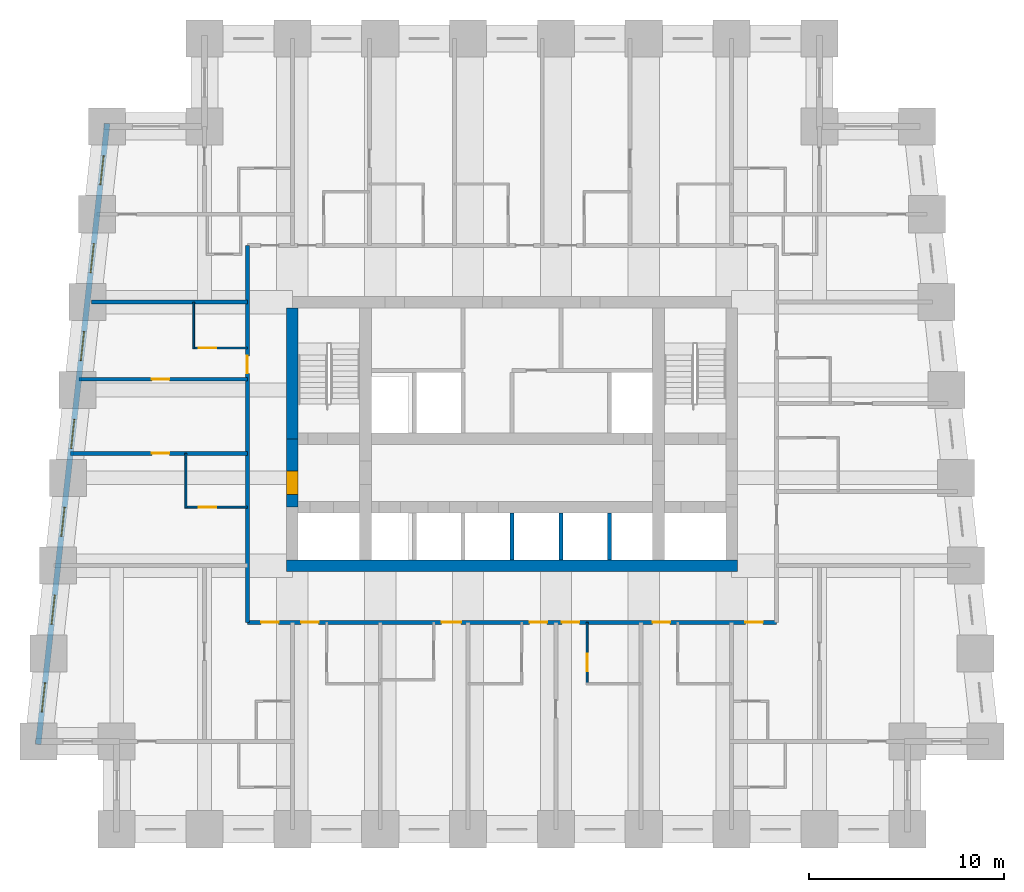
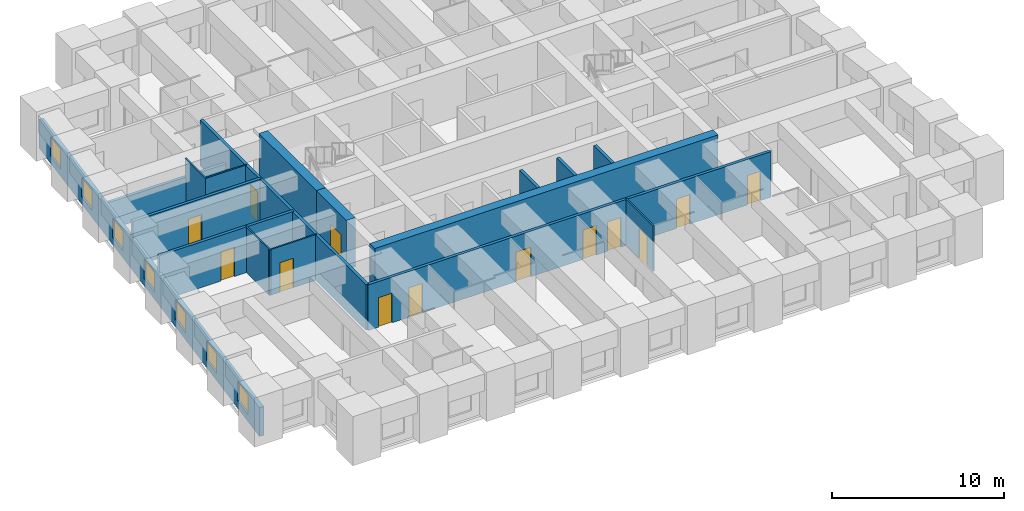
# One storey, part 3 of 8: 17 walls, 14 doors, 7 windows, 21 openings.
"""IFC4 building model written with IfcOpenShell, lengths in metres."""

from ifc_helpers import new_model, si_unit, direction, frame, frame_2d, origin, place, context, subcontext, project, spatial, rectangle, extrude, material, layer, layer_set, type_object, element, fill, save


model = new_model("IFC4")

# Units and contexts
model_context = context("Model", 3, precision=1e-05, world=origin(), true_north=direction((0.0, 1.0)))
body_context = subcontext(model_context, "Body", "Model", "MODEL_VIEW")
ifc_project = project(units=[si_unit("LENGTHUNIT", "METRE"), si_unit("AREAUNIT", "SQUARE_METRE"), si_unit("VOLUMEUNIT", "CUBIC_METRE"), si_unit("PLANEANGLEUNIT", "RADIAN"), si_unit("MASSUNIT", "GRAM", prefix="KILO")], contexts=[model_context])

# Site, building, storey
site_placement = place(None, origin())
site = spatial("IfcSite", under=ifc_project, at=site_placement, CompositionType="ELEMENT")
building_placement = place(site_placement, origin())
building = spatial("IfcBuilding", under=site, at=building_placement, Name="Kilele Tower Hotel", CompositionType="ELEMENT")
storey_placement = place(building_placement, frame((0.0, 0.0, 64.699951171875)))
storey = spatial("IfcBuildingStorey", under=building, at=storey_placement, Name="L15", CompositionType="ELEMENT", Elevation=64.699951171875)

# Wall, opening, door
ifc_material_1 = material(Name="Moisture-resistant board")
ifc_layer_1 = layer(ifc_material_1, 0.10009765625)
ifc_layer_set_1 = layer_set([ifc_layer_1], Name="Moisture-resistant board")
wall_type_1 = type_object("IfcWallType", Name="Bathroom partition 100", PredefinedType="PLUMBINGWALL", material=ifc_layer_set_1)
wall_1_placement = place(storey_placement, frame((28.60009765625, 10.60009765625, 0.0), z_axis=(0.0, 0.0, 1.0), x_axis=(0.0, -1.0, 0.0)))
wall_1 = element("IfcWall", 1, at=wall_1_placement, inside=storey, type_object=wall_type_1, Name="Bathroom partition 100 L15", PredefinedType="PLUMBINGWALL", context=body_context, shape_type="SweptSolid", body=[
    extrude(rectangle(XDim=3.2001953125, YDim=0.10009765625, at=frame_2d((1.60009765625, 0.0))), origin(), (0.0, 0.0, 1.0), 3.25),
])
opening_1_placement = place(wall_1_placement, frame((2.5, 0.0, 0.0), z_axis=(0.0, 0.0, 1.0), x_axis=(-1.0, 0.0, 0.0)))
opening_1 = element("IfcOpeningElement", 2, at=opening_1_placement, cuts=wall_1, Name="Opening D2A", PredefinedType="OPENING", context=body_context, shape_type="SweptSolid", body=[
    extrude(rectangle(XDim=0.89990234375, YDim=2.10009765625, at=frame_2d((0.449951171875, 1.050048828125))), frame((0.0, 0.06005859375, 0.0), z_axis=(0.0, -1.0, 0.0), x_axis=(1.0, 0.0, 0.0)), (0.0, 0.0, 1.0), 0.1201171875),
])
ifc_material_2 = material(Name="Timber door leaf in hardwood frame", Category="wood")
door_type_1 = type_object("IfcDoorType", Name="Bathroom door 900", OperationType="SINGLE_SWING_LEFT", PredefinedType="DOOR", material=ifc_material_2)
door_1_placement = place(opening_1_placement, origin())
door_1 = element("IfcDoor", 3, at=door_1_placement, inside=storey, type_object=door_type_1, Name="Bathroom door 1504B", OperationType="SINGLE_SWING_LEFT", OverallHeight=2.10009765625, OverallWidth=0.89990234375, PredefinedType="DOOR", context=body_context, shape_type="SweptSolid", body=[
    extrude(rectangle(XDim=0.89990234375, YDim=2.10009765625, at=frame_2d((0.449951171875, 1.050048828125))), frame((0.0, 0.02490234375, 0.0), z_axis=(0.0, -1.0, 0.0), x_axis=(1.0, 0.0, 0.0)), (0.0, 0.0, 1.0), 0.050048828125),
])
fill(opening_1, door_1)

# Wall
wall_2_placement = place(storey_placement, frame((8.050048828125, 16.449951171875, 0.0), z_axis=(0.0, 0.0, 1.0), x_axis=(0.0, 1.0, 0.0)))
element("IfcWall", 4, at=wall_2_placement, inside=storey, type_object=wall_type_1, Name="Bathroom partition 100 L15", PredefinedType="PLUMBINGWALL", context=body_context, shape_type="SweptSolid", body=[
    extrude(rectangle(XDim=2.800048828125, YDim=0.10009765625, at=frame_2d((1.39990234375, 0.0))), origin(), (0.0, 0.0, 1.0), 3.25),
])

# Wall, opening, door
wall_3_placement = place(storey_placement, frame((11.199951171875, 16.5, 0.0), z_axis=(0.0, 0.0, 1.0), x_axis=(-1.0, 0.0, 0.0)))
wall_3 = element("IfcWall", 5, at=wall_3_placement, inside=storey, type_object=wall_type_1, Name="Bathroom partition 100 L15", PredefinedType="PLUMBINGWALL", context=body_context, shape_type="SweptSolid", body=[
    extrude(rectangle(XDim=3.199951171875, YDim=0.10009765625, at=frame_2d((1.60009765625, 0.0))), origin(), (0.0, 0.0, 1.0), 3.25),
])
opening_2_placement = place(wall_3_placement, frame((1.60009765625, 0.0, 0.0)))
opening_2 = element("IfcOpeningElement", 6, at=opening_2_placement, cuts=wall_3, Name="Opening D2A", PredefinedType="OPENING", context=body_context, shape_type="SweptSolid", body=[
    extrude(rectangle(XDim=0.89990234375, YDim=2.10009765625, at=frame_2d((0.449951171875, 1.050048828125))), frame((0.0, 0.06005859375, 0.0), z_axis=(0.0, -1.0, 0.0), x_axis=(1.0, 0.0, 0.0)), (0.0, 0.0, 1.0), 0.1201171875),
])
door_2_placement = place(opening_2_placement, origin())
door_2 = element("IfcDoor", 7, at=door_2_placement, inside=storey, type_object=door_type_1, Name="Bathroom door 1514B", OperationType="SINGLE_SWING_RIGHT", OverallHeight=2.10009765625, OverallWidth=0.89990234375, PredefinedType="DOOR", context=body_context, shape_type="SweptSolid", body=[
    extrude(rectangle(XDim=0.89990234375, YDim=2.10009765625, at=frame_2d((0.449951171875, 1.050048828125))), frame((0.0, 0.02490234375, 0.0), z_axis=(0.0, -1.0, 0.0), x_axis=(1.0, 0.0, 0.0)), (0.0, 0.0, 1.0), 0.050048828125),
])
fill(opening_2, door_2)

# Wall
wall_4_placement = place(storey_placement, frame((8.449951171875, 24.60009765625, 0.0), z_axis=(0.0, 0.0, 1.0), x_axis=(0.0, 1.0, 0.0)))
element("IfcWall", 8, at=wall_4_placement, inside=storey, type_object=wall_type_1, Name="Bathroom partition 100 L15", PredefinedType="PLUMBINGWALL", context=body_context, shape_type="SweptSolid", body=[
    extrude(rectangle(XDim=2.39990234375, YDim=0.10009765625, at=frame_2d((1.199951171875, 0.0))), origin(), (0.0, 0.0, 1.0), 3.25),
])

# Wall, opening, door
wall_5_placement = place(storey_placement, frame((11.199951171875, 24.64990234375, 0.0), z_axis=(0.0, 0.0, 1.0), x_axis=(-1.0, 0.0, 0.0)))
wall_5 = element("IfcWall", 9, at=wall_5_placement, inside=storey, type_object=wall_type_1, Name="Bathroom partition 100 L15", PredefinedType="PLUMBINGWALL", context=body_context, shape_type="SweptSolid", body=[
    extrude(rectangle(XDim=2.800048828125, YDim=0.10009765625, at=frame_2d((1.39990234375, 0.0))), origin(), (0.0, 0.0, 1.0), 3.25),
])
opening_3_placement = place(wall_5_placement, frame((1.60009765625, 0.0, 0.0)))
opening_3 = element("IfcOpeningElement", 10, at=opening_3_placement, cuts=wall_5, Name="Opening D2A", PredefinedType="OPENING", context=body_context, shape_type="SweptSolid", body=[
    extrude(rectangle(XDim=0.89990234375, YDim=2.10009765625, at=frame_2d((0.449951171875, 1.050048828125))), frame((0.0, 0.06005859375, 0.0), z_axis=(0.0, -1.0, 0.0), x_axis=(1.0, 0.0, 0.0)), (0.0, 0.0, 1.0), 0.1201171875),
])
door_3_placement = place(opening_3_placement, origin())
door_3 = element("IfcDoor", 11, at=door_3_placement, inside=storey, type_object=door_type_1, Name="Bathroom door 1516B", OperationType="SINGLE_SWING_RIGHT", OverallHeight=2.10009765625, OverallWidth=0.89990234375, PredefinedType="DOOR", context=body_context, shape_type="SweptSolid", body=[
    extrude(rectangle(XDim=0.89990234375, YDim=2.10009765625, at=frame_2d((0.449951171875, 1.050048828125))), frame((0.0, 0.02490234375, 0.0), z_axis=(0.0, -1.0, 0.0), x_axis=(1.0, 0.0, 0.0)), (0.0, 0.0, 1.0), 0.050048828125),
])
fill(opening_3, door_3)

# Walls
ifc_material_3 = material(Name="Concrete C60/75", Category="concrete")
ifc_layer_2 = layer(ifc_material_3, 0.60009765625)
ifc_layer_set_2 = layer_set([ifc_layer_2], Name="Concrete C60/75")
wall_type_2 = type_object("IfcWallType", Name="Core wall 600 C60/75", PredefinedType="SHEAR", material=ifc_layer_set_2)
wall_6_placement = place(storey_placement, frame((13.199951171875, 13.5, 0.0), z_axis=(0.0, 0.0, 1.0), x_axis=(1.0, 0.0, 0.0)))
element("IfcWall", 12, at=wall_6_placement, inside=storey, type_object=wall_type_2, Name="Core wall S L15", PredefinedType="SHEAR", context=body_context, shape_type="SweptSolid", body=[
    extrude(rectangle(XDim=23.10009765625, YDim=0.60009765625, at=frame_2d((11.550048828125, 0.0))), origin(), (0.0, 0.0, 1.0), 3.5),
])
wall_7_placement = place(storey_placement, frame((13.5, 26.699951171875, 0.0), z_axis=(0.0, 0.0, 1.0), x_axis=(0.0, -1.0, 0.0)))
element("IfcWall", 13, at=wall_7_placement, inside=storey, type_object=wall_type_2, Name="Core wall W1 L15", PredefinedType="SHEAR", context=body_context, shape_type="SweptSolid", body=[
    extrude(rectangle(XDim=6.699951171875, YDim=0.60009765625, at=frame_2d((3.35009765625, 0.0))), origin(), (0.0, 0.0, 1.0), 3.5),
])

# Wall, opening, door
wall_8_placement = place(storey_placement, frame((13.5, 20.0, 0.0), z_axis=(0.0, 0.0, 1.0), x_axis=(0.0, -1.0, 0.0)))
wall_8 = element("IfcWall", 14, at=wall_8_placement, inside=storey, type_object=wall_type_2, Name="Core wall W2 L15", PredefinedType="SHEAR", context=body_context, shape_type="SweptSolid", body=[
    extrude(rectangle(XDim=3.5, YDim=0.60009765625, at=frame_2d((1.75, 0.0))), origin(), (0.0, 0.0, 1.0), 3.5),
])
opening_4_placement = place(wall_8_placement, frame((1.64990234375, 0.0, 0.0)))
opening_4 = element("IfcOpeningElement", 15, at=opening_4_placement, cuts=wall_8, Name="Opening D4", PredefinedType="OPENING", context=body_context, shape_type="SweptSolid", body=[
    extrude(rectangle(XDim=1.199951171875, YDim=2.10009765625, at=frame_2d((0.60009765625, 1.050048828125))), frame((0.0, 0.31005859375, 0.0), z_axis=(0.0, -1.0, 0.0), x_axis=(1.0, 0.0, 0.0)), (0.0, 0.0, 1.0), 0.6201171875),
])
ifc_material_4 = material(Name="Timber door leaf in hardwood frame", Category="wood")
door_type_2 = type_object("IfcDoorType", Name="Firefighting lobby door 1200", OperationType="SINGLE_SWING_LEFT", PredefinedType="DOOR", material=ifc_material_4)
door_4_placement = place(opening_4_placement, origin())
door_4 = element("IfcDoor", 16, at=door_4_placement, inside=storey, type_object=door_type_2, Name="Lobby door L15", OperationType="SINGLE_SWING_RIGHT", OverallHeight=2.10009765625, OverallWidth=1.199951171875, PredefinedType="DOOR", context=body_context, shape_type="SweptSolid", body=[
    extrude(rectangle(XDim=1.199951171875, YDim=2.10009765625, at=frame_2d((0.60009765625, 1.050048828125))), frame((0.0, 0.2998046875, 0.0), z_axis=(0.0, -1.0, 0.0), x_axis=(1.0, 0.0, 0.0)), (0.0, 0.0, 1.0), 0.599609375),
])
fill(opening_4, door_4)

# Wall, openings, doors
ifc_material_5 = material(Name="Blockwork, plastered both sides", Category="masonry")
ifc_layer_3 = layer(ifc_material_5, 0.199951171875)
ifc_layer_set_3 = layer_set([ifc_layer_3], Name="Blockwork, plastered both sides")
wall_type_3 = type_object("IfcWallType", Name="Corridor wall 200", PredefinedType="PARTITIONING", material=ifc_layer_set_3)
wall_9_placement = place(storey_placement, frame((11.199951171875, 10.60009765625, 0.0), z_axis=(0.0, 0.0, 1.0), x_axis=(1.0, 0.0, 0.0)))
wall_9 = element("IfcWall", 17, at=wall_9_placement, inside=storey, type_object=wall_type_3, Name="Corridor wall 200 L15", PredefinedType="PARTITIONING", context=body_context, shape_type="SweptSolid", body=[
    extrude(rectangle(XDim=27.10009765625, YDim=0.199951171875, at=frame_2d((13.550048828125, 0.0))), origin(), (0.0, 0.0, 1.0), 3.25),
])
opening_5_placement = place(wall_9_placement, frame((3.64990234375, 0.0, 0.0), z_axis=(0.0, 0.0, 1.0), x_axis=(-1.0, 0.0, 0.0)))
opening_5 = element("IfcOpeningElement", 18, at=opening_5_placement, cuts=wall_9, Name="Opening D1", PredefinedType="OPENING", context=body_context, shape_type="SweptSolid", body=[
    extrude(rectangle(XDim=0.89990234375, YDim=2.10009765625, at=frame_2d((0.449951171875, 1.050048828125))), frame((0.0, 0.10986328125, 0.0), z_axis=(0.0, -1.0, 0.0), x_axis=(1.0, 0.0, 0.0)), (0.0, 0.0, 1.0), 0.219970703125),
])
opening_6_placement = place(wall_9_placement, frame((10.949951171875, 0.0, 0.0), z_axis=(0.0, 0.0, 1.0), x_axis=(-1.0, 0.0, 0.0)))
opening_6 = element("IfcOpeningElement", 19, at=opening_6_placement, cuts=wall_9, Name="Opening D1A", PredefinedType="OPENING", context=body_context, shape_type="SweptSolid", body=[
    extrude(rectangle(XDim=1.0, YDim=2.10009765625, at=frame_2d((0.5, 1.050048828125))), frame((0.0, 0.10986328125, 0.0), z_axis=(0.0, -1.0, 0.0), x_axis=(1.0, 0.0, 0.0)), (0.0, 0.0, 1.0), 0.219970703125),
])
opening_7_placement = place(wall_9_placement, frame((15.349853515625, 0.0, 0.0), z_axis=(0.0, 0.0, 1.0), x_axis=(-1.0, 0.0, 0.0)))
opening_7 = element("IfcOpeningElement", 20, at=opening_7_placement, cuts=wall_9, Name="Opening D1", PredefinedType="OPENING", context=body_context, shape_type="SweptSolid", body=[
    extrude(rectangle(XDim=0.89990234375, YDim=2.10009765625, at=frame_2d((0.449951171875, 1.050048828125))), frame((0.0, 0.10986328125, 0.0), z_axis=(0.0, -1.0, 0.0), x_axis=(1.0, 0.0, 0.0)), (0.0, 0.0, 1.0), 0.219970703125),
])
opening_8_placement = place(wall_9_placement, frame((17.0, 0.0, 0.0), z_axis=(0.0, 0.0, 1.0), x_axis=(-1.0, 0.0, 0.0)))
opening_8 = element("IfcOpeningElement", 21, at=opening_8_placement, cuts=wall_9, Name="Opening D1", PredefinedType="OPENING", context=body_context, shape_type="SweptSolid", body=[
    extrude(rectangle(XDim=0.89990234375, YDim=2.10009765625, at=frame_2d((0.449951171875, 1.050048828125))), frame((0.0, 0.10986328125, 0.0), z_axis=(0.0, -1.0, 0.0), x_axis=(1.0, 0.0, 0.0)), (0.0, 0.0, 1.0), 0.219970703125),
])
opening_9_placement = place(wall_9_placement, frame((21.64990234375, 0.0, 0.0), z_axis=(0.0, 0.0, 1.0), x_axis=(-1.0, 0.0, 0.0)))
opening_9 = element("IfcOpeningElement", 22, at=opening_9_placement, cuts=wall_9, Name="Opening D1", PredefinedType="OPENING", context=body_context, shape_type="SweptSolid", body=[
    extrude(rectangle(XDim=0.89990234375, YDim=2.10009765625, at=frame_2d((0.449951171875, 1.050048828125))), frame((0.0, 0.10986328125, 0.0), z_axis=(0.0, -1.0, 0.0), x_axis=(1.0, 0.0, 0.0)), (0.0, 0.0, 1.0), 0.219970703125),
])
opening_10_placement = place(wall_9_placement, frame((1.599853515625, 0.0, 0.0), z_axis=(0.0, 0.0, 1.0), x_axis=(-1.0, 0.0, 0.0)))
opening_10 = element("IfcOpeningElement", 23, at=opening_10_placement, cuts=wall_9, Name="Opening D1", PredefinedType="OPENING", context=body_context, shape_type="SweptSolid", body=[
    extrude(rectangle(XDim=0.89990234375, YDim=2.10009765625, at=frame_2d((0.449951171875, 1.050048828125))), frame((0.0, 0.10986328125, 0.0), z_axis=(0.0, -1.0, 0.0), x_axis=(1.0, 0.0, 0.0)), (0.0, 0.0, 1.0), 0.219970703125),
])
opening_11_placement = place(wall_9_placement, frame((26.39990234375, 0.0, 0.0), z_axis=(0.0, 0.0, 1.0), x_axis=(-1.0, 0.0, 0.0)))
opening_11 = element("IfcOpeningElement", 24, at=opening_11_placement, cuts=wall_9, Name="Opening D1", PredefinedType="OPENING", context=body_context, shape_type="SweptSolid", body=[
    extrude(rectangle(XDim=0.89990234375, YDim=2.10009765625, at=frame_2d((0.449951171875, 1.050048828125))), frame((0.0, 0.10986328125, 0.0), z_axis=(0.0, -1.0, 0.0), x_axis=(1.0, 0.0, 0.0)), (0.0, 0.0, 1.0), 0.219970703125),
])
ifc_material_6 = material(Name="Timber door leaf in hardwood frame", Category="wood")
door_type_3 = type_object("IfcDoorType", Name="Guest room entrance door 1000", OperationType="SINGLE_SWING_LEFT", PredefinedType="DOOR", material=ifc_material_6)
door_5_placement = place(opening_6_placement, origin())
door_5 = element("IfcDoor", 25, at=door_5_placement, inside=storey, type_object=door_type_3, Name="Room entrance 1502", OperationType="SINGLE_SWING_RIGHT", OverallHeight=2.10009765625, OverallWidth=1.0, PredefinedType="DOOR", context=body_context, shape_type="SweptSolid", body=[
    extrude(rectangle(XDim=1.0, YDim=2.10009765625, at=frame_2d((0.5, 1.050048828125))), frame((0.0, 0.02490234375, 0.0), z_axis=(0.0, -1.0, 0.0), x_axis=(1.0, 0.0, 0.0)), (0.0, 0.0, 1.0), 0.050048828125),
])
fill(opening_6, door_5)
ifc_material_7 = material(Name="Timber door leaf in hardwood frame", Category="wood")
door_type_4 = type_object("IfcDoorType", Name="Guest room entrance door 900", OperationType="SINGLE_SWING_LEFT", PredefinedType="DOOR", material=ifc_material_7)
door_6_placement = place(opening_5_placement, origin())
door_6 = element("IfcDoor", 26, at=door_6_placement, inside=storey, type_object=door_type_4, Name="Room entrance 1501", OperationType="SINGLE_SWING_RIGHT", OverallHeight=2.10009765625, OverallWidth=0.89990234375, PredefinedType="DOOR", context=body_context, shape_type="SweptSolid", body=[
    extrude(rectangle(XDim=0.89990234375, YDim=2.10009765625, at=frame_2d((0.449951171875, 1.050048828125))), frame((0.0, 0.02490234375, 0.0), z_axis=(0.0, -1.0, 0.0), x_axis=(1.0, 0.0, 0.0)), (0.0, 0.0, 1.0), 0.050048828125),
])
fill(opening_5, door_6)
door_7_placement = place(opening_7_placement, origin())
door_7 = element("IfcDoor", 27, at=door_7_placement, inside=storey, type_object=door_type_4, Name="Room entrance 1503", OperationType="SINGLE_SWING_LEFT", OverallHeight=2.10009765625, OverallWidth=0.89990234375, PredefinedType="DOOR", context=body_context, shape_type="SweptSolid", body=[
    extrude(rectangle(XDim=0.89990234375, YDim=2.10009765625, at=frame_2d((0.449951171875, 1.050048828125))), frame((0.0, 0.02490234375, 0.0), z_axis=(0.0, -1.0, 0.0), x_axis=(1.0, 0.0, 0.0)), (0.0, 0.0, 1.0), 0.050048828125),
])
fill(opening_7, door_7)
door_8_placement = place(opening_8_placement, origin())
door_8 = element("IfcDoor", 28, at=door_8_placement, inside=storey, type_object=door_type_4, Name="Room entrance 1504", OperationType="SINGLE_SWING_RIGHT", OverallHeight=2.10009765625, OverallWidth=0.89990234375, PredefinedType="DOOR", context=body_context, shape_type="SweptSolid", body=[
    extrude(rectangle(XDim=0.89990234375, YDim=2.10009765625, at=frame_2d((0.449951171875, 1.050048828125))), frame((0.0, 0.02490234375, 0.0), z_axis=(0.0, -1.0, 0.0), x_axis=(1.0, 0.0, 0.0)), (0.0, 0.0, 1.0), 0.050048828125),
])
fill(opening_8, door_8)
door_9_placement = place(opening_9_placement, origin())
door_9 = element("IfcDoor", 29, at=door_9_placement, inside=storey, type_object=door_type_4, Name="Room entrance 1505", OperationType="SINGLE_SWING_LEFT", OverallHeight=2.10009765625, OverallWidth=0.89990234375, PredefinedType="DOOR", context=body_context, shape_type="SweptSolid", body=[
    extrude(rectangle(XDim=0.89990234375, YDim=2.10009765625, at=frame_2d((0.449951171875, 1.050048828125))), frame((0.0, 0.02490234375, 0.0), z_axis=(0.0, -1.0, 0.0), x_axis=(1.0, 0.0, 0.0)), (0.0, 0.0, 1.0), 0.050048828125),
])
fill(opening_9, door_9)
door_10_placement = place(opening_10_placement, origin())
door_10 = element("IfcDoor", 30, at=door_10_placement, inside=storey, type_object=door_type_4, Name="Room entrance 1517", OperationType="SINGLE_SWING_LEFT", OverallHeight=2.10009765625, OverallWidth=0.89990234375, PredefinedType="DOOR", context=body_context, shape_type="SweptSolid", body=[
    extrude(rectangle(XDim=0.89990234375, YDim=2.10009765625, at=frame_2d((0.449951171875, 1.050048828125))), frame((0.0, 0.02490234375, 0.0), z_axis=(0.0, -1.0, 0.0), x_axis=(1.0, 0.0, 0.0)), (0.0, 0.0, 1.0), 0.050048828125),
])
fill(opening_10, door_10)
door_11_placement = place(opening_11_placement, origin())
door_11 = element("IfcDoor", 31, at=door_11_placement, inside=storey, type_object=door_type_4, Name="Room entrance 1520", OperationType="SINGLE_SWING_RIGHT", OverallHeight=2.10009765625, OverallWidth=0.89990234375, PredefinedType="DOOR", context=body_context, shape_type="SweptSolid", body=[
    extrude(rectangle(XDim=0.89990234375, YDim=2.10009765625, at=frame_2d((0.449951171875, 1.050048828125))), frame((0.0, 0.02490234375, 0.0), z_axis=(0.0, -1.0, 0.0), x_axis=(1.0, 0.0, 0.0)), (0.0, 0.0, 1.0), 0.050048828125),
])
fill(opening_11, door_11)

# Wall, opening, door
wall_10_placement = place(storey_placement, frame((11.199951171875, 10.60009765625, 0.0), z_axis=(0.0, 0.0, 1.0), x_axis=(0.0, 1.0, 0.0)))
wall_10 = element("IfcWall", 32, at=wall_10_placement, inside=storey, type_object=wall_type_3, Name="Corridor wall 200 L15", PredefinedType="PARTITIONING", context=body_context, shape_type="SweptSolid", body=[
    extrude(rectangle(XDim=19.2998046875, YDim=0.199951171875, at=frame_2d((9.64990234375, 0.0))), origin(), (0.0, 0.0, 1.0), 3.25),
])
opening_12_placement = place(wall_10_placement, frame((12.75, 0.0, 0.0)))
opening_12 = element("IfcOpeningElement", 33, at=opening_12_placement, cuts=wall_10, Name="Opening D1", PredefinedType="OPENING", context=body_context, shape_type="SweptSolid", body=[
    extrude(rectangle(XDim=0.89990234375, YDim=2.10009765625, at=frame_2d((0.449951171875, 1.050048828125))), frame((0.0, 0.10986328125, 0.0), z_axis=(0.0, -1.0, 0.0), x_axis=(1.0, 0.0, 0.0)), (0.0, 0.0, 1.0), 0.219970703125),
])
door_12_placement = place(opening_12_placement, origin())
door_12 = element("IfcDoor", 34, at=door_12_placement, inside=storey, type_object=door_type_4, Name="Room entrance 1516", OperationType="SINGLE_SWING_LEFT", OverallHeight=2.10009765625, OverallWidth=0.89990234375, PredefinedType="DOOR", context=body_context, shape_type="SweptSolid", body=[
    extrude(rectangle(XDim=0.89990234375, YDim=2.10009765625, at=frame_2d((0.449951171875, 1.050048828125))), frame((0.0, 0.02490234375, 0.0), z_axis=(0.0, -1.0, 0.0), x_axis=(1.0, 0.0, 0.0)), (0.0, 0.0, 1.0), 0.050048828125),
])
fill(opening_12, door_12)

ifc_material_8 = material(Name="Blockwork, plastered both sides", Category="masonry")
ifc_layer_4 = layer(ifc_material_8, 0.199951171875)
ifc_layer_set_4 = layer_set([ifc_layer_4], Name="Blockwork, plastered both sides")
wall_type_4 = type_object("IfcWallType", Name="Party wall 200", PredefinedType="PARTITIONING", material=ifc_layer_set_4)
wall_11_placement = place(storey_placement, frame((11.199951171875, 19.25, 0.0), z_axis=(0.0, 0.0, 1.0), x_axis=(-1.0, 0.0, 0.0)))
wall_11 = element("IfcWall", 35, at=wall_11_placement, inside=storey, type_object=wall_type_4, Name="Party wall 200 L15", PredefinedType="PARTITIONING", context=body_context, shape_type="SweptSolid", body=[
    extrude(rectangle(XDim=9.06005859375, YDim=0.199951171875, at=frame_2d((4.530029296875, 0.0))), origin(), (0.0, 0.0, 1.0), 3.25),
])
opening_13_placement = place(wall_11_placement, frame((4.0, 0.0, 0.0)))
opening_13 = element("IfcOpeningElement", 36, at=opening_13_placement, cuts=wall_11, Name="Opening D3", PredefinedType="OPENING", context=body_context, shape_type="SweptSolid", body=[
    extrude(rectangle(XDim=0.89990234375, YDim=2.10009765625, at=frame_2d((0.449951171875, 1.050048828125))), frame((0.0, 0.10986328125, 0.0), z_axis=(0.0, -1.0, 0.0), x_axis=(1.0, 0.0, 0.0)), (0.0, 0.0, 1.0), 0.219970703125),
])
ifc_material_9 = material(Name="Timber door leaf in hardwood frame", Category="wood")
door_type_5 = type_object("IfcDoorType", Name="Suite internal door 900", OperationType="SINGLE_SWING_LEFT", PredefinedType="DOOR", material=ifc_material_9)
door_13_placement = place(opening_13_placement, origin())
door_13 = element("IfcDoor", 37, at=door_13_placement, inside=storey, type_object=door_type_5, Name="Suite door 1515", OperationType="SINGLE_SWING_LEFT", OverallHeight=2.10009765625, OverallWidth=0.89990234375, PredefinedType="DOOR", context=body_context, shape_type="SweptSolid", body=[
    extrude(rectangle(XDim=0.89990234375, YDim=2.10009765625, at=frame_2d((0.449951171875, 1.050048828125))), frame((0.0, 0.02490234375, 0.0), z_axis=(0.0, -1.0, 0.0), x_axis=(1.0, 0.0, 0.0)), (0.0, 0.0, 1.0), 0.050048828125),
])
fill(opening_13, door_13)

wall_12_placement = place(storey_placement, frame((11.199951171875, 23.050048828125, 0.0), z_axis=(0.0, 0.0, 1.0), x_axis=(-1.0, 0.0, 0.0)))
wall_12 = element("IfcWall", 38, at=wall_12_placement, inside=storey, type_object=wall_type_4, Name="Party wall 200 L15", PredefinedType="PARTITIONING", context=body_context, shape_type="SweptSolid", body=[
    extrude(rectangle(XDim=8.637939453125, YDim=0.199951171875, at=frame_2d((4.31884765625, 0.0))), origin(), (0.0, 0.0, 1.0), 3.25),
])
opening_14_placement = place(wall_12_placement, frame((4.0, 0.0, 0.0)))
opening_14 = element("IfcOpeningElement", 39, at=opening_14_placement, cuts=wall_12, Name="Opening D3", PredefinedType="OPENING", context=body_context, shape_type="SweptSolid", body=[
    extrude(rectangle(XDim=0.89990234375, YDim=2.10009765625, at=frame_2d((0.449951171875, 1.050048828125))), frame((0.0, 0.10986328125, 0.0), z_axis=(0.0, -1.0, 0.0), x_axis=(1.0, 0.0, 0.0)), (0.0, 0.0, 1.0), 0.219970703125),
])
door_14_placement = place(opening_14_placement, origin())
door_14 = element("IfcDoor", 40, at=door_14_placement, inside=storey, type_object=door_type_5, Name="Suite door 1516", OperationType="SINGLE_SWING_RIGHT", OverallHeight=2.10009765625, OverallWidth=0.89990234375, PredefinedType="DOOR", context=body_context, shape_type="SweptSolid", body=[
    extrude(rectangle(XDim=0.89990234375, YDim=2.10009765625, at=frame_2d((0.449951171875, 1.050048828125))), frame((0.0, 0.02490234375, 0.0), z_axis=(0.0, -1.0, 0.0), x_axis=(1.0, 0.0, 0.0)), (0.0, 0.0, 1.0), 0.050048828125),
])
fill(opening_14, door_14)

# Wall
wall_13_placement = place(storey_placement, frame((11.199951171875, 27.0, 0.0), z_axis=(0.0, 0.0, 1.0), x_axis=(-1.0, 0.0, 0.0)))
element("IfcWall", 41, at=wall_13_placement, inside=storey, type_object=wall_type_4, Name="Party wall 200 L15", PredefinedType="PARTITIONING", context=body_context, shape_type="SweptSolid", body=[
    extrude(rectangle(XDim=7.976806640625, YDim=0.199951171875, at=frame_2d((3.98828125, 0.0))), origin(), (0.0, 0.0, 1.0), 1.949951171875),
])

# Wall, openings, windows
ifc_material_10 = material(Name="Concrete C40/50 precast", Category="concrete")
ifc_layer_5 = layer(ifc_material_10, 0.260009765625, Name="Precast backing", Category="LoadBearing")
ifc_material_11 = material(Name="Reconstituted stone finish", Category="masonry")
ifc_layer_6 = layer(ifc_material_11, 0.0400390625, Name="Face mix", Category="Finish")
ifc_layer_set_5 = layer_set([ifc_layer_5, ifc_layer_6], Name="Precast concrete C40/50, reconstituted stone finish")
wall_type_5 = type_object("IfcWallType", Name="Precast stone facade wall 300", PredefinedType="STANDARD", material=ifc_layer_set_5)
wall_14_placement = place(storey_placement, frame((4.0166015625, 36.149169921875, 0.0), z_axis=(0.0, 0.0, 1.0), x_axis=(-0.110433201132, -0.993883548555, 0.0)))
wall_14 = element("IfcWall", 42, at=wall_14_placement, inside=storey, type_object=wall_type_5, Name="Facade wall L15 edge 12", PredefinedType="STANDARD", context=body_context, shape_type="SweptSolid", body=[
    extrude(rectangle(XDim=31.994140625, YDim=0.300048828125, at=frame_2d((15.9970703125, 0.0))), origin(), (0.0, 0.0, 1.0), 2.050048828125),
])
opening_15_placement = place(wall_14_placement, frame((1.6640625, 0.0, 0.5)))
opening_15 = element("IfcOpeningElement", 43, at=opening_15_placement, cuts=wall_14, Name="Opening W1", PredefinedType="OPENING", context=body_context, shape_type="SweptSolid", body=[
    extrude(rectangle(XDim=1.5, YDim=1.39990234375, at=frame_2d((0.75, 0.699951171875))), frame((0.0, 0.159912109375, 0.0), z_axis=(0.0, -1.0, 0.0), x_axis=(1.0, 0.0, 0.0)), (0.0, 0.0, 1.0), 0.320068359375),
])
opening_16_placement = place(wall_14_placement, frame((6.19189453125, 0.0, 0.5)))
opening_16 = element("IfcOpeningElement", 44, at=opening_16_placement, cuts=wall_14, Name="Opening W1", PredefinedType="OPENING", context=body_context, shape_type="SweptSolid", body=[
    extrude(rectangle(XDim=1.5, YDim=1.39990234375, at=frame_2d((0.75, 0.699951171875))), frame((0.0, 0.159912109375, 0.0), z_axis=(0.0, -1.0, 0.0), x_axis=(1.0, 0.0, 0.0)), (0.0, 0.0, 1.0), 0.320068359375),
])
opening_17_placement = place(wall_14_placement, frame((10.718994140625, 0.0, 0.5)))
opening_17 = element("IfcOpeningElement", 45, at=opening_17_placement, cuts=wall_14, Name="Opening W1", PredefinedType="OPENING", context=body_context, shape_type="SweptSolid", body=[
    extrude(rectangle(XDim=1.5, YDim=1.39990234375, at=frame_2d((0.75, 0.699951171875))), frame((0.0, 0.159912109375, 0.0), z_axis=(0.0, -1.0, 0.0), x_axis=(1.0, 0.0, 0.0)), (0.0, 0.0, 1.0), 0.320068359375),
])
opening_18_placement = place(wall_14_placement, frame((15.2470703125, 0.0, 0.5)))
opening_18 = element("IfcOpeningElement", 46, at=opening_18_placement, cuts=wall_14, Name="Opening W1", PredefinedType="OPENING", context=body_context, shape_type="SweptSolid", body=[
    extrude(rectangle(XDim=1.5, YDim=1.39990234375, at=frame_2d((0.75, 0.699951171875))), frame((0.0, 0.159912109375, 0.0), z_axis=(0.0, -1.0, 0.0), x_axis=(1.0, 0.0, 0.0)), (0.0, 0.0, 1.0), 0.320068359375),
])
opening_19_placement = place(wall_14_placement, frame((19.77490234375, 0.0, 0.5)))
opening_19 = element("IfcOpeningElement", 47, at=opening_19_placement, cuts=wall_14, Name="Opening W1", PredefinedType="OPENING", context=body_context, shape_type="SweptSolid", body=[
    extrude(rectangle(XDim=1.5, YDim=1.39990234375, at=frame_2d((0.75, 0.699951171875))), frame((0.0, 0.159912109375, 0.0), z_axis=(0.0, -1.0, 0.0), x_axis=(1.0, 0.0, 0.0)), (0.0, 0.0, 1.0), 0.320068359375),
])
opening_20_placement = place(wall_14_placement, frame((24.302001953125, 0.0, 0.5)))
opening_20 = element("IfcOpeningElement", 48, at=opening_20_placement, cuts=wall_14, Name="Opening W1", PredefinedType="OPENING", context=body_context, shape_type="SweptSolid", body=[
    extrude(rectangle(XDim=1.5, YDim=1.39990234375, at=frame_2d((0.75, 0.699951171875))), frame((0.0, 0.159912109375, 0.0), z_axis=(0.0, -1.0, 0.0), x_axis=(1.0, 0.0, 0.0)), (0.0, 0.0, 1.0), 0.320068359375),
])
opening_21_placement = place(wall_14_placement, frame((28.830078125, 0.0, 0.5)))
opening_21 = element("IfcOpeningElement", 49, at=opening_21_placement, cuts=wall_14, Name="Opening W1", PredefinedType="OPENING", context=body_context, shape_type="SweptSolid", body=[
    extrude(rectangle(XDim=1.5, YDim=1.39990234375, at=frame_2d((0.75, 0.699951171875))), frame((0.0, 0.159912109375, 0.0), z_axis=(0.0, -1.0, 0.0), x_axis=(1.0, 0.0, 0.0)), (0.0, 0.0, 1.0), 0.320068359375),
])
ifc_material_12 = material(Name="Aluminium frame, clear double glazing", Category="aluminium")
window_type = type_object("IfcWindowType", Name="Window W1 1500 x 1400", PartitioningType="SINGLE_PANEL", PredefinedType="WINDOW", material=ifc_material_12)
window_1_placement = place(opening_15_placement, origin())
window_1 = element("IfcWindow", 50, at=window_1_placement, inside=storey, type_object=window_type, Name="Window L15", OverallHeight=1.39990234375, OverallWidth=1.5, PartitioningType="SINGLE_PANEL", PredefinedType="WINDOW", context=body_context, shape_type="SweptSolid", body=[
    extrude(rectangle(XDim=1.5, YDim=1.39990234375, at=frame_2d((0.75, 0.699951171875))), frame((0.0, 0.030029296875, 0.0), z_axis=(0.0, -1.0, 0.0), x_axis=(1.0, 0.0, 0.0)), (0.0, 0.0, 1.0), 0.06005859375),
])
fill(opening_15, window_1)
window_2_placement = place(opening_16_placement, origin())
window_2 = element("IfcWindow", 51, at=window_2_placement, inside=storey, type_object=window_type, Name="Window L15", OverallHeight=1.39990234375, OverallWidth=1.5, PartitioningType="SINGLE_PANEL", PredefinedType="WINDOW", context=body_context, shape_type="SweptSolid", body=[
    extrude(rectangle(XDim=1.5, YDim=1.39990234375, at=frame_2d((0.75, 0.699951171875))), frame((0.0, 0.030029296875, 0.0), z_axis=(0.0, -1.0, 0.0), x_axis=(1.0, 0.0, 0.0)), (0.0, 0.0, 1.0), 0.06005859375),
])
fill(opening_16, window_2)
window_3_placement = place(opening_17_placement, origin())
window_3 = element("IfcWindow", 52, at=window_3_placement, inside=storey, type_object=window_type, Name="Window L15", OverallHeight=1.39990234375, OverallWidth=1.5, PartitioningType="SINGLE_PANEL", PredefinedType="WINDOW", context=body_context, shape_type="SweptSolid", body=[
    extrude(rectangle(XDim=1.5, YDim=1.39990234375, at=frame_2d((0.75, 0.699951171875))), frame((0.0, 0.030029296875, 0.0), z_axis=(0.0, -1.0, 0.0), x_axis=(1.0, 0.0, 0.0)), (0.0, 0.0, 1.0), 0.06005859375),
])
fill(opening_17, window_3)
window_4_placement = place(opening_18_placement, origin())
window_4 = element("IfcWindow", 53, at=window_4_placement, inside=storey, type_object=window_type, Name="Window L15", OverallHeight=1.39990234375, OverallWidth=1.5, PartitioningType="SINGLE_PANEL", PredefinedType="WINDOW", context=body_context, shape_type="SweptSolid", body=[
    extrude(rectangle(XDim=1.5, YDim=1.39990234375, at=frame_2d((0.75, 0.699951171875))), frame((0.0, 0.030029296875, 0.0), z_axis=(0.0, -1.0, 0.0), x_axis=(1.0, 0.0, 0.0)), (0.0, 0.0, 1.0), 0.06005859375),
])
fill(opening_18, window_4)
window_5_placement = place(opening_19_placement, origin())
window_5 = element("IfcWindow", 54, at=window_5_placement, inside=storey, type_object=window_type, Name="Window L15", OverallHeight=1.39990234375, OverallWidth=1.5, PartitioningType="SINGLE_PANEL", PredefinedType="WINDOW", context=body_context, shape_type="SweptSolid", body=[
    extrude(rectangle(XDim=1.5, YDim=1.39990234375, at=frame_2d((0.75, 0.699951171875))), frame((0.0, 0.030029296875, 0.0), z_axis=(0.0, -1.0, 0.0), x_axis=(1.0, 0.0, 0.0)), (0.0, 0.0, 1.0), 0.06005859375),
])
fill(opening_19, window_5)
window_6_placement = place(opening_20_placement, origin())
window_6 = element("IfcWindow", 55, at=window_6_placement, inside=storey, type_object=window_type, Name="Window L15", OverallHeight=1.39990234375, OverallWidth=1.5, PartitioningType="SINGLE_PANEL", PredefinedType="WINDOW", context=body_context, shape_type="SweptSolid", body=[
    extrude(rectangle(XDim=1.5, YDim=1.39990234375, at=frame_2d((0.75, 0.699951171875))), frame((0.0, 0.030029296875, 0.0), z_axis=(0.0, -1.0, 0.0), x_axis=(1.0, 0.0, 0.0)), (0.0, 0.0, 1.0), 0.06005859375),
])
fill(opening_20, window_6)
window_7_placement = place(opening_21_placement, origin())
window_7 = element("IfcWindow", 56, at=window_7_placement, inside=storey, type_object=window_type, Name="Window L15", OverallHeight=1.39990234375, OverallWidth=1.5, PartitioningType="SINGLE_PANEL", PredefinedType="WINDOW", context=body_context, shape_type="SweptSolid", body=[
    extrude(rectangle(XDim=1.5, YDim=1.39990234375, at=frame_2d((0.75, 0.699951171875))), frame((0.0, 0.030029296875, 0.0), z_axis=(0.0, -1.0, 0.0), x_axis=(1.0, 0.0, 0.0)), (0.0, 0.0, 1.0), 0.06005859375),
])
fill(opening_21, window_7)

# Walls
ifc_material_13 = material(Name="Blockwork, fire-rated", Category="masonry")
ifc_layer_7 = layer(ifc_material_13, 0.199951171875)
ifc_layer_set_6 = layer_set([ifc_layer_7], Name="Blockwork, fire-rated")
wall_type_6 = type_object("IfcWallType", Name="Shaft wall 200", PredefinedType="PARTITIONING", material=ifc_layer_set_6)
for number, where, z_axis, x_axis, name in (
    (57, (24.75, 13.800048828125, 0.0), (0.0, 0.0, 1.0), (0.0, 1.0, 0.0), "Shaft wall 200 L15"),
    (58, (27.25, 13.800048828125, 0.0), (0.0, 0.0, 1.0), (0.0, 1.0, 0.0), "Shaft wall 200 L15"),
    (59, (29.75, 13.800048828125, 0.0), (0.0, 0.0, 1.0), (0.0, 1.0, 0.0), "Shaft wall 200 L15"),
):
    element("IfcWall", number, at=place(storey_placement, frame(where, z_axis=z_axis, x_axis=x_axis)), inside=storey, type_object=wall_type_6, Name=name, PredefinedType="PARTITIONING", context=body_context, shape_type="SweptSolid", body=[
        extrude(rectangle(XDim=2.39990234375, YDim=0.199951171875, at=frame_2d((1.199951171875, 0.0))), origin(), (0.0, 0.0, 1.0), 3.25),
    ])

save(model, "model.ifc")
